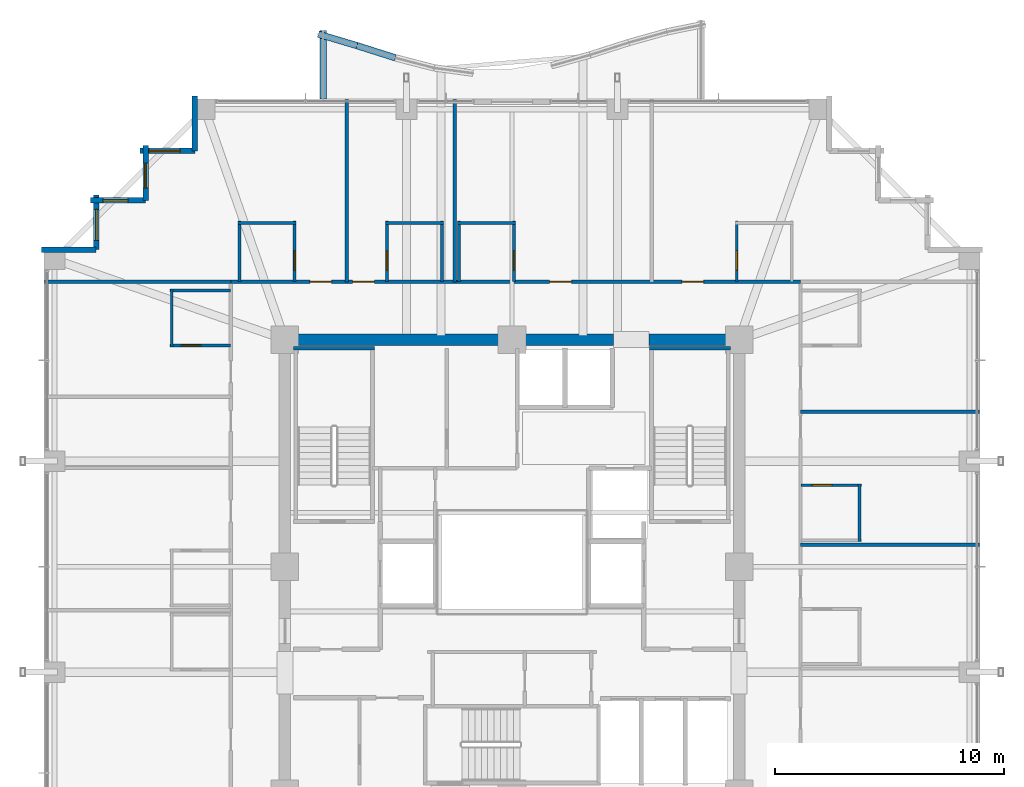
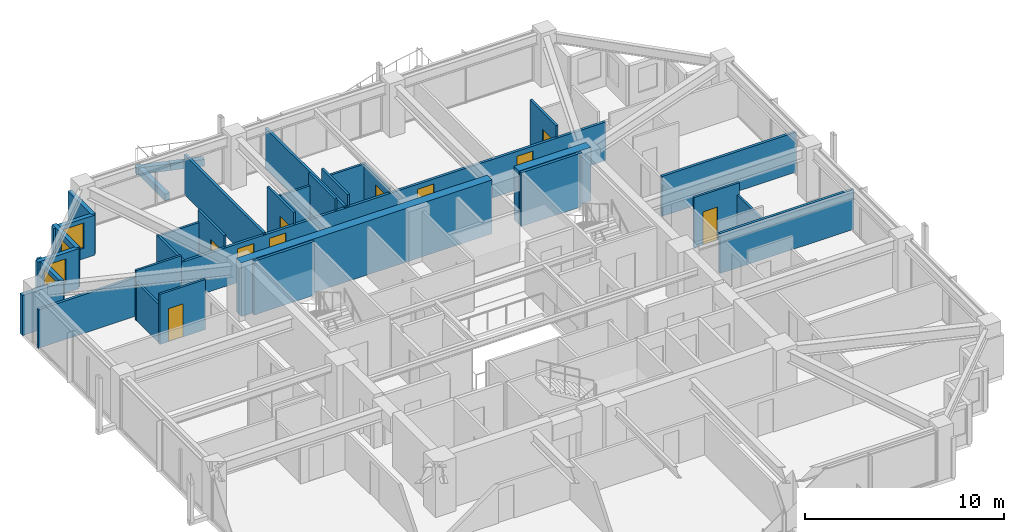
# One storey, part 34 of 37: 34 walls, 10 doors, 4 windows, 14 openings.
"""IFC4 building model written with IfcOpenShell, lengths in metres."""

import ifcopenshell
import ifcopenshell.guid

model = None  # the IFC model being written
_history = None  # IfcOwnerHistory: only IFC2X3 demands one
_inside = {}  # id of a spatial element -> (the spatial element, [elements in it])
_under = {}  # id of a project, library or spatial element -> (it, [spatial elements below it])
_declared = {}  # id of a project -> (the project, [libraries it declares])
_typed = {}  # id of a type object -> (the type object, [elements of that type])
_made_of = {}  # id of a material, layer set ... -> (it, [elements and type objects made of it])


def new_model(schema):
    """Start an empty IFC model of exactly this schema.

    Asked for "IFC4X3", IfcOpenShell would pick the latest addendum, in which some entities
    have other attributes; the version numbers below select the first issue.
    IFC2X3 requires an IfcOwnerHistory on every rooted entity: one is made here for all.
    """
    global model, _history
    if schema == "IFC4X3":
        model = ifcopenshell.file(schema_version=(4, 3, 0, 0))
    else:
        model = ifcopenshell.file(schema=schema)
    _inside.clear()
    _under.clear()
    _declared.clear()
    _typed.clear()
    _made_of.clear()
    _history = None
    if model.schema == "IFC2X3":
        org = make("IfcOrganization", Name="unknown")
        user = make(
            "IfcPersonAndOrganization",
            ThePerson=make("IfcPerson", FamilyName="unknown"),
            TheOrganization=org,
        )
        app = make(
            "IfcApplication",
            ApplicationDeveloper=org,
            Version="unknown",
            ApplicationFullName="unknown",
            ApplicationIdentifier="unknown",
        )
        _history = make(
            "IfcOwnerHistory",
            OwningUser=user,
            OwningApplication=app,
            ChangeAction="ADDED",
            CreationDate=0,
        )
    return model


def make(cls, **values):
    """One entity of the class cls with the attributes given. An attribute that is None is left unset."""
    return model.create_entity(
        cls, **{name: value for name, value in values.items() if value is not None}
    )


def rooted(cls, **values):
    """An entity with a GlobalId (a new one), such as an element, a storey or a relation."""
    return make(cls, GlobalId=ifcopenshell.guid.new(), OwnerHistory=_history, **values)


def si_unit(unit_type, name, prefix=None):
    """IfcSIUnit, for example si_unit("LENGTHUNIT", "METRE", prefix="MILLI")."""
    return make("IfcSIUnit", UnitType=unit_type, Prefix=prefix, Name=name)


def assignment(units):
    """IfcUnitAssignment: the units of a project."""
    return None if units is None else make("IfcUnitAssignment", Units=units)


def point(xyz):
    """IfcCartesianPoint."""
    return None if xyz is None else make("IfcCartesianPoint", Coordinates=xyz)


def direction(xyz):
    """IfcDirection."""
    return None if xyz is None else make("IfcDirection", DirectionRatios=xyz)


def frame(location, z_axis=None, x_axis=None):
    """IfcAxis2Placement3D, a coordinate frame: its origin and axes. An axis left out is left unset."""
    return make(
        "IfcAxis2Placement3D",
        Location=point(location),
        Axis=direction(z_axis),
        RefDirection=direction(x_axis),
    )


def frame_2d(location, x_axis=None):
    """IfcAxis2Placement2D, a coordinate frame in the plane: its origin and x axis."""
    return make(
        "IfcAxis2Placement2D", Location=point(location), RefDirection=direction(x_axis)
    )


def origin():
    """The frame at (0, 0, 0) with its axes left unset."""
    return frame((0.0, 0.0, 0.0))


def place(relative_to, where):
    """IfcLocalPlacement: puts the frame where relative to a parent placement (None: the world)."""
    return make(
        "IfcLocalPlacement", PlacementRelTo=relative_to, RelativePlacement=where
    )


def context(
    kind, dimensions, precision=None, world=None, true_north=None, identifier=None
):
    """IfcGeometricRepresentationContext, for example the 3D "Model" context."""
    return make(
        "IfcGeometricRepresentationContext",
        ContextIdentifier=identifier,
        ContextType=kind,
        CoordinateSpaceDimension=dimensions,
        Precision=precision,
        WorldCoordinateSystem=world,
        TrueNorth=true_north,
    )


def subcontext(parent, identifier, kind, view, scale=None):
    """IfcGeometricRepresentationSubContext, for example "Body" below "Model"."""
    return make(
        "IfcGeometricRepresentationSubContext",
        ContextIdentifier=identifier,
        ContextType=kind,
        ParentContext=parent,
        TargetScale=scale,
        TargetView=view,
    )


def project(units=None, contexts=None):
    """IfcProject with its units and contexts."""
    return rooted(
        "IfcProject",
        Name="project",
        RepresentationContexts=contexts,
        UnitsInContext=assignment(units),
    )


def spatial(cls, under=None, at=None, **own):
    """A site, building, storey or space (cls), placed at a placement, below another one or the project."""
    s = rooted(cls, ObjectPlacement=at, **own)
    if under is not None:
        _under.setdefault(under.id(), (under, []))[1].append(s)
    return s


def profile(cls, at=None, kind="AREA", **sizes):
    """A parametric profile (cls). Its sizes go by their IFC names, for example OverallWidth=200.0."""
    return make(cls, ProfileType=kind, Position=at, **sizes)


def rectangle(**sizes):
    """IfcRectangleProfileDef."""
    return profile("IfcRectangleProfileDef", **sizes)


def extrude(swept, where, along, depth):
    """IfcExtrudedAreaSolid: the profile swept, set in the frame where, extruded along a direction by depth."""
    return make(
        "IfcExtrudedAreaSolid",
        SweptArea=swept,
        Position=where,
        ExtrudedDirection=direction(along),
        Depth=depth,
    )


def shape(context_of_items, identifier, shape_type, items):
    """IfcShapeRepresentation: the items that make up one representation, for example the "Body"."""
    return make(
        "IfcShapeRepresentation",
        ContextOfItems=context_of_items,
        RepresentationIdentifier=identifier,
        RepresentationType=shape_type,
        Items=items,
    )


def material(Name=None, Category=None):
    """IfcMaterial."""
    return make("IfcMaterial", Name=Name, Category=Category)


def layer(
    of_material, thickness, ventilated=None, Name=None, Category=None, Priority=None
):
    """IfcMaterialLayer: one layer of a wall or slab, of a material (None: an air gap)."""
    return make(
        "IfcMaterialLayer",
        Material=of_material,
        LayerThickness=thickness,
        IsVentilated=ventilated,
        Name=Name,
        Category=Category,
        Priority=Priority,
    )


def layer_set(layers, Name=None):
    """IfcMaterialLayerSet."""
    return make("IfcMaterialLayerSet", MaterialLayers=layers, LayerSetName=Name)


def made_of(thing, what):
    """Note that an element or type object is made of a material, layer set ...; save() writes the relation."""
    if what is not None:
        _made_of.setdefault(what.id(), (what, []))[1].append(thing)
    return thing


def type_object(cls, material=None, **own):
    """A type object (cls), such as IfcWallType, which elements share."""
    return made_of(rooted(cls, **own), material)


def element(
    cls,
    number,
    at=None,
    inside=None,
    cuts=None,
    type_object=None,
    material=None,
    context=None,
    identifier="Body",
    shape_type=None,
    held_by="IfcProductDefinitionShape",
    body=None,
    shapes=None,
    **own,
):
    """One element of the class cls, such as IfcWall. Its Tag is "e" and its number.

    at: its placement. inside: the storey or other place that contains it. cuts: it is an
    opening in that element (IfcRelVoidsElement). A single representation is given by context,
    identifier, shape_type and body (its items); several are given by shapes. held_by: the class
    of the entity that holds the representations. save() writes the other relations.
    """
    e = rooted(cls, Tag="e%d" % number, ObjectPlacement=at, **own)
    if body is not None:
        shapes = [shape(context, identifier, shape_type, body)]
    if shapes is not None:
        e.Representation = make(held_by, Representations=shapes)
    if inside is not None:
        _inside.setdefault(inside.id(), (inside, []))[1].append(e)
    if cuts is not None:
        rooted(
            "IfcRelVoidsElement", RelatingBuildingElement=cuts, RelatedOpeningElement=e
        )
    if type_object is not None:
        _typed.setdefault(type_object.id(), (type_object, []))[1].append(e)
    return made_of(e, material)


def fill(opening, filler):
    """IfcRelFillsElement: the door or window that sits in an opening."""
    return rooted(
        "IfcRelFillsElement",
        RelatingOpeningElement=opening,
        RelatedBuildingElement=filler,
    )


def aggregate(whole, parts):
    """IfcRelAggregates: a whole, such as a stair, and the parts it consists of."""
    return rooted("IfcRelAggregates", RelatingObject=whole, RelatedObjects=parts)


def save(model, path):
    """Write the relations noted so far, then the file.

    IfcRelAggregates (storeys below a building ...), IfcRelContainedInSpatialStructure (elements
    in a storey), IfcRelDefinesByType, IfcRelAssociatesMaterial and IfcRelDeclares: one each for
    every whole, place, type object, material and project.
    """
    for whole, parts in _under.values():
        aggregate(whole, parts)
    for where, things in _inside.values():
        rooted(
            "IfcRelContainedInSpatialStructure",
            RelatedElements=things,
            RelatingStructure=where,
        )
    for kind, things in _typed.values():
        rooted("IfcRelDefinesByType", RelatedObjects=things, RelatingType=kind)
    for what, things in _made_of.values():
        rooted("IfcRelAssociatesMaterial", RelatedObjects=things, RelatingMaterial=what)
    for by, libraries in _declared.values():
        rooted("IfcRelDeclares", RelatingContext=by, RelatedDefinitions=libraries)
    model.write(path)


model = new_model("IFC4")

# Units and contexts
model_context = context("Model", 3, precision=1e-05, world=origin(), true_north=direction((0.0, 1.0)))
body_context = subcontext(model_context, "Body", "Model", "MODEL_VIEW")
ifc_project = project(units=[si_unit("LENGTHUNIT", "METRE"), si_unit("AREAUNIT", "SQUARE_METRE"), si_unit("VOLUMEUNIT", "CUBIC_METRE"), si_unit("PLANEANGLEUNIT", "RADIAN"), si_unit("MASSUNIT", "GRAM", prefix="KILO")], contexts=[model_context])

# Site, building, storey
site_placement = place(None, origin())
site = spatial("IfcSite", under=ifc_project, at=site_placement, CompositionType="ELEMENT")
building_placement = place(site_placement, origin())
building = spatial("IfcBuilding", under=site, at=building_placement, Name="Kolvaren Belvedere", CompositionType="ELEMENT")
storey_placement = place(building_placement, frame((0.0, 0.0, 180.0)))
storey = spatial("IfcBuildingStorey", under=building, at=storey_placement, Name="L52", CompositionType="ELEMENT", Elevation=180.0)

# Walls
ifc_material_1 = material(Name="Concrete C50/60", Category="concrete")
ifc_layer_1 = layer(ifc_material_1, 0.5)
ifc_layer_set_1 = layer_set([ifc_layer_1], Name="Concrete C50/60")
wall_type_1 = type_object("IfcWallType", Name="CW-CORE-500", PredefinedType="SHEAR", material=ifc_layer_set_1)
wall_1_placement = place(storey_placement, frame((-10.14990234375, 9.89990234375, 0.0), z_axis=(0.0, 0.0, 1.0), x_axis=(1.0, 0.0, 0.0)))
element("IfcWall", 1, at=wall_1_placement, inside=storey, type_object=wall_type_1, Name="L52 North Core Shear Wall 1", PredefinedType="SHEAR", context=body_context, shape_type="SweptSolid", body=[
    extrude(rectangle(XDim=14.56982421875, YDim=0.5, at=frame_2d((7.284912109375, 0.0))), origin(), (0.0, 0.0, 1.0), 3.300048828125),
])
wall_2_placement = place(storey_placement, frame((5.97998046875, 9.89990234375, 0.0), z_axis=(0.0, 0.0, 1.0), x_axis=(1.0, 0.0, 0.0)))
element("IfcWall", 2, at=wall_2_placement, inside=storey, type_object=wall_type_1, Name="L52 North Core Shear Wall 2", PredefinedType="SHEAR", context=body_context, shape_type="SweptSolid", body=[
    extrude(rectangle(XDim=4.169921875, YDim=0.5, at=frame_2d((2.0849609375, 0.0))), origin(), (0.0, 0.0, 1.0), 3.300048828125),
])
ifc_material_2 = material(Name="Concrete C50/60", Category="concrete")
ifc_layer_2 = layer(ifc_material_2, 0.159912109375)
ifc_layer_set_2 = layer_set([ifc_layer_2], Name="Concrete C50/60")
wall_type_2 = type_object("IfcWallType", Name="CW-STAIR-160", PredefinedType="SHEAR", material=ifc_layer_set_2)
for number, where, z_axis, x_axis, name in (
    (3, (-9.52001953125, 9.530029296875, 0.0), (0.0, 0.0, 1.0), (1.0, 0.0, 0.0), "L52 Stair ST-1 North Shear Wall"),
    (4, (6.0, 9.530029296875, 0.0), (0.0, 0.0, 1.0), (1.0, 0.0, 0.0), "L52 Stair ST-2 North Shear Wall"),
):
    element("IfcWall", number, at=place(storey_placement, frame(where, z_axis=z_axis, x_axis=x_axis)), inside=storey, type_object=wall_type_2, Name=name, PredefinedType="SHEAR", context=body_context, shape_type="SweptSolid", body=[
        extrude(rectangle(XDim=3.52001953125, YDim=0.159912109375, at=frame_2d((1.760009765625, 0.0))), origin(), (0.0, 0.0, 1.0), 3.300048828125),
    ])

# Wall, openings, doors
ifc_material_3 = material(Name="Gypsum fire-rated partition assembly", Category="gypsum")
ifc_layer_3 = layer(ifc_material_3, 0.14990234375)
ifc_layer_set_3 = layer_set([ifc_layer_3], Name="Gypsum fire-rated partition assembly")
wall_type_3 = type_object("IfcWallType", Name="WL-CORR-150", PredefinedType="PARTITIONING", material=ifc_layer_set_3)
wall_3_placement = place(storey_placement, frame((-12.260009765625, 12.419921875, 0.0), z_axis=(0.0, 0.0, 1.0), x_axis=(1.0, 0.0, 0.0)))
wall_3 = element("IfcWall", 5, at=wall_3_placement, inside=storey, type_object=wall_type_3, Name="L52 North Corridor Wall", PredefinedType="PARTITIONING", context=body_context, shape_type="SweptSolid", body=[
    extrude(rectangle(XDim=24.840087890625, YDim=0.14990234375, at=frame_2d((12.419921875, 0.0))), origin(), (0.0, 0.0, 1.0), 2.368896484375),
])
opening_1_placement = place(wall_3_placement, frame((3.447509765625, 0.0, 0.0)))
opening_1 = element("IfcOpeningElement", 6, at=opening_1_placement, cuts=wall_3, Name="Opening D-FD60", PredefinedType="OPENING", context=body_context, shape_type="SweptSolid", body=[
    extrude(rectangle(XDim=0.949951171875, YDim=2.06005859375, at=frame_2d((0.47509765625, 1.030029296875))), frame((0.0, 0.0849609375, 0.0), z_axis=(0.0, -1.0, 0.0), x_axis=(1.0, 0.0, 0.0)), (0.0, 0.0, 1.0), 0.169921875),
])
opening_2_placement = place(wall_3_placement, frame((5.31201171875, 0.0, 0.0)))
opening_2 = element("IfcOpeningElement", 7, at=opening_2_placement, cuts=wall_3, Name="Opening D-FD60", PredefinedType="OPENING", context=body_context, shape_type="SweptSolid", body=[
    extrude(rectangle(XDim=0.949951171875, YDim=2.06005859375, at=frame_2d((0.47509765625, 1.030029296875))), frame((0.0, 0.0849609375, 0.0), z_axis=(0.0, -1.0, 0.0), x_axis=(1.0, 0.0, 0.0)), (0.0, 0.0, 1.0), 0.169921875),
])
opening_3_placement = place(wall_3_placement, frame((13.905517578125, 0.0, 0.0)))
opening_3 = element("IfcOpeningElement", 8, at=opening_3_placement, cuts=wall_3, Name="Opening D-FD60", PredefinedType="OPENING", context=body_context, shape_type="SweptSolid", body=[
    extrude(rectangle(XDim=0.949951171875, YDim=2.06005859375, at=frame_2d((0.47509765625, 1.030029296875))), frame((0.0, 0.0849609375, 0.0), z_axis=(0.0, -1.0, 0.0), x_axis=(1.0, 0.0, 0.0)), (0.0, 0.0, 1.0), 0.169921875),
])
opening_4_placement = place(wall_3_placement, frame((19.666015625, 0.0, 0.0)))
opening_4 = element("IfcOpeningElement", 9, at=opening_4_placement, cuts=wall_3, Name="Opening D-FD60", PredefinedType="OPENING", context=body_context, shape_type="SweptSolid", body=[
    extrude(rectangle(XDim=0.949951171875, YDim=2.06005859375, at=frame_2d((0.47509765625, 1.030029296875))), frame((0.0, 0.0849609375, 0.0), z_axis=(0.0, -1.0, 0.0), x_axis=(1.0, 0.0, 0.0)), (0.0, 0.0, 1.0), 0.169921875),
])
ifc_material_4 = material(Name="Acoustic white-oak fire door leaf", Category="timber")
door_type_1 = type_object("IfcDoorType", Name="DR-FD60-950", OperationType="NOTDEFINED", PredefinedType="DOOR", material=ifc_material_4)
door_1_placement = place(opening_1_placement, origin())
door_1 = element("IfcDoor", 10, at=door_1_placement, inside=storey, type_object=door_type_1, Name="L52 Botanical Hospitality Suite 5213 Entry Door", OperationType="SINGLE_SWING_LEFT", OverallHeight=2.06005859375, OverallWidth=0.949951171875, PredefinedType="DOOR", context=body_context, shape_type="SweptSolid", body=[
    extrude(rectangle(XDim=0.949951171875, YDim=2.06005859375, at=frame_2d((0.47509765625, 1.030029296875))), frame((0.0, 0.02490234375, 0.0), z_axis=(0.0, -1.0, 0.0), x_axis=(1.0, 0.0, 0.0)), (0.0, 0.0, 1.0), 0.050048828125),
])
fill(opening_1, door_1)
door_2_placement = place(opening_2_placement, origin())
door_2 = element("IfcDoor", 11, at=door_2_placement, inside=storey, type_object=door_type_1, Name="L52 Botanical Hospitality Suite 5214 Entry Door", OperationType="SINGLE_SWING_LEFT", OverallHeight=2.06005859375, OverallWidth=0.949951171875, PredefinedType="DOOR", context=body_context, shape_type="SweptSolid", body=[
    extrude(rectangle(XDim=0.949951171875, YDim=2.06005859375, at=frame_2d((0.47509765625, 1.030029296875))), frame((0.0, 0.02490234375, 0.0), z_axis=(0.0, -1.0, 0.0), x_axis=(1.0, 0.0, 0.0)), (0.0, 0.0, 1.0), 0.050048828125),
])
fill(opening_2, door_2)
door_3_placement = place(opening_3_placement, origin())
door_3 = element("IfcDoor", 12, at=door_3_placement, inside=storey, type_object=door_type_1, Name="L52 King Guest Room 5215 Entry Door", OperationType="SINGLE_SWING_LEFT", OverallHeight=2.06005859375, OverallWidth=0.949951171875, PredefinedType="DOOR", context=body_context, shape_type="SweptSolid", body=[
    extrude(rectangle(XDim=0.949951171875, YDim=2.06005859375, at=frame_2d((0.47509765625, 1.030029296875))), frame((0.0, 0.02490234375, 0.0), z_axis=(0.0, -1.0, 0.0), x_axis=(1.0, 0.0, 0.0)), (0.0, 0.0, 1.0), 0.050048828125),
])
fill(opening_3, door_3)
door_4_placement = place(opening_4_placement, origin())
door_4 = element("IfcDoor", 13, at=door_4_placement, inside=storey, type_object=door_type_1, Name="L52 Botanical Hospitality Suite 5216 Entry Door", OperationType="SINGLE_SWING_LEFT", OverallHeight=2.06005859375, OverallWidth=0.949951171875, PredefinedType="DOOR", context=body_context, shape_type="SweptSolid", body=[
    extrude(rectangle(XDim=0.949951171875, YDim=2.06005859375, at=frame_2d((0.47509765625, 1.030029296875))), frame((0.0, 0.02490234375, 0.0), z_axis=(0.0, -1.0, 0.0), x_axis=(1.0, 0.0, 0.0)), (0.0, 0.0, 1.0), 0.050048828125),
])
fill(opening_4, door_4)

# Wall
ifc_material_5 = material(Name="Insulated pale-metal facade wall assembly", Category="aluminium")
ifc_layer_4 = layer(ifc_material_5, 0.239990234375)
ifc_layer_set_4 = layer_set([ifc_layer_4], Name="Insulated pale-metal facade wall assembly")
wall_type_4 = type_object("IfcWallType", Name="WL-EXT-240", PredefinedType="STANDARD", material=ifc_layer_set_4)
wall_4_placement = place(storey_placement, frame((-13.830078125, 18.1298828125, 0.0), z_axis=(0.0, 0.0, 1.0), x_axis=(0.0, 1.0, 0.0)))
element("IfcWall", 14, at=wall_4_placement, inside=storey, type_object=wall_type_4, Name="L52 Serrated Corner Facade Wall 16", PredefinedType="STANDARD", context=body_context, shape_type="SweptSolid", body=[
    extrude(rectangle(XDim=2.39013671875, YDim=0.239990234375, at=frame_2d((1.195068359375, 0.0))), origin(), (0.0, 0.0, 1.0), 2.462890625),
])

# Wall, opening, window
wall_5_placement = place(storey_placement, frame((-16.219970703125, 18.1298828125, 0.0), z_axis=(0.0, 0.0, 1.0), x_axis=(1.0, 0.0, 0.0)))
wall_5 = element("IfcWall", 15, at=wall_5_placement, inside=storey, type_object=wall_type_4, Name="L52 Serrated Corner Facade Wall 17", PredefinedType="STANDARD", context=body_context, shape_type="SweptSolid", body=[
    extrude(rectangle(XDim=2.389892578125, YDim=0.239990234375, at=frame_2d((1.19482421875, 0.0))), origin(), (0.0, 0.0, 1.0), 2.462890625),
])
opening_5_placement = place(wall_5_placement, frame((0.39990234375, 0.0, 0.64990234375)))
opening_5 = element("IfcOpeningElement", 16, at=opening_5_placement, cuts=wall_5, Name="Opening W-1350", PredefinedType="OPENING", context=body_context, shape_type="SweptSolid", body=[
    extrude(rectangle(XDim=1.35009765625, YDim=1.550048828125, at=frame_2d((0.675048828125, 0.77490234375))), frame((0.0, 0.1298828125, 0.0), z_axis=(0.0, -1.0, 0.0), x_axis=(1.0, 0.0, 0.0)), (0.0, 0.0, 1.0), 0.260009765625),
])
ifc_material_6 = material(Name="Low-iron triple insulated glass", Category="glass")
window_type_1 = type_object("IfcWindowType", Name="WN-CORN-1350", PartitioningType="SINGLE_PANEL", PredefinedType="WINDOW", material=ifc_material_6)
window_1_placement = place(opening_5_placement, origin())
window_1 = element("IfcWindow", 17, at=window_1_placement, inside=storey, type_object=window_type_1, Name="L52 Serrated Corner Vision Window 17", OverallHeight=1.550048828125, OverallWidth=1.35009765625, PartitioningType="SINGLE_PANEL", PredefinedType="WINDOW", context=body_context, shape_type="SweptSolid", body=[
    extrude(rectangle(XDim=1.35009765625, YDim=1.550048828125, at=frame_2d((0.675048828125, 0.77490234375))), frame((0.0, 0.030029296875, 0.0), z_axis=(0.0, -1.0, 0.0), x_axis=(1.0, 0.0, 0.0)), (0.0, 0.0, 1.0), 0.06005859375),
])
fill(opening_5, window_1)

wall_6_placement = place(storey_placement, frame((-15.97998046875, 15.97998046875, 0.0), z_axis=(0.0, 0.0, 1.0), x_axis=(0.0, 1.0, 0.0)))
wall_6 = element("IfcWall", 18, at=wall_6_placement, inside=storey, type_object=wall_type_4, Name="L52 Serrated Corner Facade Wall 18", PredefinedType="STANDARD", context=body_context, shape_type="SweptSolid", body=[
    extrude(rectangle(XDim=2.39013671875, YDim=0.239990234375, at=frame_2d((1.195068359375, 0.0))), origin(), (0.0, 0.0, 1.0), 2.462890625),
])
opening_6_placement = place(wall_6_placement, frame((0.52490234375, 0.0, 0.64990234375)))
opening_6 = element("IfcOpeningElement", 19, at=opening_6_placement, cuts=wall_6, Name="Opening W-1100", PredefinedType="OPENING", context=body_context, shape_type="SweptSolid", body=[
    extrude(rectangle(XDim=1.10009765625, YDim=1.449951171875, at=frame_2d((0.550048828125, 0.72509765625))), frame((0.0, 0.1298828125, 0.0), z_axis=(0.0, -1.0, 0.0), x_axis=(1.0, 0.0, 0.0)), (0.0, 0.0, 1.0), 0.260009765625),
])
ifc_material_7 = material(Name="Low-iron triple insulated glass", Category="glass")
window_type_2 = type_object("IfcWindowType", Name="WN-CORN-1100", PartitioningType="SINGLE_PANEL", PredefinedType="WINDOW", material=ifc_material_7)
window_2_placement = place(opening_6_placement, origin())
window_2 = element("IfcWindow", 20, at=window_2_placement, inside=storey, type_object=window_type_2, Name="L52 Serrated Corner Vision Window 18", OverallHeight=1.449951171875, OverallWidth=1.10009765625, PartitioningType="SINGLE_PANEL", PredefinedType="WINDOW", context=body_context, shape_type="SweptSolid", body=[
    extrude(rectangle(XDim=1.10009765625, YDim=1.449951171875, at=frame_2d((0.550048828125, 0.72509765625))), frame((0.0, 0.030029296875, 0.0), z_axis=(0.0, -1.0, 0.0), x_axis=(1.0, 0.0, 0.0)), (0.0, 0.0, 1.0), 0.06005859375),
])
fill(opening_6, window_2)

wall_7_placement = place(storey_placement, frame((-18.3701171875, 15.97998046875, 0.0), z_axis=(0.0, 0.0, 1.0), x_axis=(1.0, 0.0, 0.0)))
wall_7 = element("IfcWall", 21, at=wall_7_placement, inside=storey, type_object=wall_type_4, Name="L52 Serrated Corner Facade Wall 19", PredefinedType="STANDARD", context=body_context, shape_type="SweptSolid", body=[
    extrude(rectangle(XDim=2.39013671875, YDim=0.239990234375, at=frame_2d((1.195068359375, 0.0))), origin(), (0.0, 0.0, 1.0), 2.462890625),
])
opening_7_placement = place(wall_7_placement, frame((0.52490234375, 0.0, 0.64990234375)))
opening_7 = element("IfcOpeningElement", 22, at=opening_7_placement, cuts=wall_7, Name="Opening W-1100", PredefinedType="OPENING", context=body_context, shape_type="SweptSolid", body=[
    extrude(rectangle(XDim=1.10009765625, YDim=1.449951171875, at=frame_2d((0.550048828125, 0.72509765625))), frame((0.0, 0.1298828125, 0.0), z_axis=(0.0, -1.0, 0.0), x_axis=(1.0, 0.0, 0.0)), (0.0, 0.0, 1.0), 0.260009765625),
])
window_3_placement = place(opening_7_placement, origin())
window_3 = element("IfcWindow", 23, at=window_3_placement, inside=storey, type_object=window_type_2, Name="L52 Serrated Corner Vision Window 19", OverallHeight=1.449951171875, OverallWidth=1.10009765625, PartitioningType="SINGLE_PANEL", PredefinedType="WINDOW", context=body_context, shape_type="SweptSolid", body=[
    extrude(rectangle(XDim=1.10009765625, YDim=1.449951171875, at=frame_2d((0.550048828125, 0.72509765625))), frame((0.0, 0.030029296875, 0.0), z_axis=(0.0, -1.0, 0.0), x_axis=(1.0, 0.0, 0.0)), (0.0, 0.0, 1.0), 0.06005859375),
])
fill(opening_7, window_3)

wall_8_placement = place(storey_placement, frame((-18.1298828125, 13.830078125, 0.0), z_axis=(0.0, 0.0, 1.0), x_axis=(0.0, 1.0, 0.0)))
wall_8 = element("IfcWall", 24, at=wall_8_placement, inside=storey, type_object=wall_type_4, Name="L52 Serrated Corner Facade Wall 20", PredefinedType="STANDARD", context=body_context, shape_type="SweptSolid", body=[
    extrude(rectangle(XDim=2.389892578125, YDim=0.239990234375, at=frame_2d((1.19482421875, 0.0))), origin(), (0.0, 0.0, 1.0), 2.462890625),
])
opening_8_placement = place(wall_8_placement, frame((0.39990234375, 0.0, 0.64990234375)))
opening_8 = element("IfcOpeningElement", 25, at=opening_8_placement, cuts=wall_8, Name="Opening W-1350", PredefinedType="OPENING", context=body_context, shape_type="SweptSolid", body=[
    extrude(rectangle(XDim=1.35009765625, YDim=1.550048828125, at=frame_2d((0.675048828125, 0.77490234375))), frame((0.0, 0.1298828125, 0.0), z_axis=(0.0, -1.0, 0.0), x_axis=(1.0, 0.0, 0.0)), (0.0, 0.0, 1.0), 0.260009765625),
])
window_4_placement = place(opening_8_placement, origin())
window_4 = element("IfcWindow", 26, at=window_4_placement, inside=storey, type_object=window_type_1, Name="L52 Serrated Corner Vision Window 20", OverallHeight=1.550048828125, OverallWidth=1.35009765625, PartitioningType="SINGLE_PANEL", PredefinedType="WINDOW", context=body_context, shape_type="SweptSolid", body=[
    extrude(rectangle(XDim=1.35009765625, YDim=1.550048828125, at=frame_2d((0.675048828125, 0.77490234375))), frame((0.0, 0.030029296875, 0.0), z_axis=(0.0, -1.0, 0.0), x_axis=(1.0, 0.0, 0.0)), (0.0, 0.0, 1.0), 0.06005859375),
])
fill(opening_8, window_4)

# Walls
wall_9_placement = place(storey_placement, frame((-20.52001953125, 13.830078125, 0.0), z_axis=(0.0, 0.0, 1.0), x_axis=(1.0, 0.0, 0.0)))
element("IfcWall", 27, at=wall_9_placement, inside=storey, type_object=wall_type_4, Name="L52 Serrated Corner Facade Wall 21", PredefinedType="STANDARD", context=body_context, shape_type="SweptSolid", body=[
    extrude(rectangle(XDim=2.39013671875, YDim=0.239990234375, at=frame_2d((1.195068359375, 0.0))), origin(), (0.0, 0.0, 1.0), 2.462890625),
])
ifc_material_8 = material(Name="Gypsum acoustic partition assembly", Category="gypsum")
ifc_layer_5 = layer(ifc_material_8, 0.14990234375)
ifc_layer_set_5 = layer_set([ifc_layer_5], Name="Gypsum acoustic partition assembly")
wall_type_5 = type_object("IfcWallType", Name="WL-PART-150", PredefinedType="PARTITIONING", material=ifc_layer_set_5)
wall_10_placement = place(storey_placement, frame((-20.3798828125, 12.419921875, 0.0), z_axis=(0.0, 0.0, 1.0), x_axis=(1.0, 0.0, 0.0)))
element("IfcWall", 28, at=wall_10_placement, inside=storey, type_object=wall_type_5, Name="L52 Wing Divider PW-L52-QNW", PredefinedType="PARTITIONING", context=body_context, shape_type="SweptSolid", body=[
    extrude(rectangle(XDim=8.119873046875, YDim=0.14990234375, at=frame_2d((4.06005859375, 0.0))), origin(), (0.0, 0.0, 1.0), 2.368896484375),
])
for number, where, z_axis, x_axis, name in (
    (29, (12.580078125, 0.9599609375, 0.0), (0.0, 0.0, 1.0), (1.0, 0.0, 0.0), "L52 East Suite Demising Wall 3"),
    (30, (12.580078125, 6.760009765625, 0.0), (0.0, 0.0, 1.0), (1.0, 0.0, 0.0), "L52 East Suite Demising Wall 4"),
):
    element("IfcWall", number, at=place(storey_placement, frame(where, z_axis=z_axis, x_axis=x_axis)), inside=storey, type_object=wall_type_5, Name=name, PredefinedType="PARTITIONING", context=body_context, shape_type="SweptSolid", body=[
        extrude(rectangle(XDim=7.7998046875, YDim=0.14990234375, at=frame_2d((3.89990234375, 0.0))), origin(), (0.0, 0.0, 1.0), 2.452880859375),
    ])
for number, where, z_axis, x_axis, name in (
    (31, (-7.2041015625, 12.419921875, 0.0), (0.0, 0.0, 1.0), (0.0, 1.0, 0.0), "L52 North Suite Demising Wall 1"),
    (32, (-2.50390625, 12.419921875, 0.0), (0.0, 0.0, 1.0), (0.0, 1.0, 0.0), "L52 North Suite Demising Wall 2"),
):
    element("IfcWall", number, at=place(storey_placement, frame(where, z_axis=z_axis, x_axis=x_axis)), inside=storey, type_object=wall_type_5, Name=name, PredefinedType="PARTITIONING", context=body_context, shape_type="SweptSolid", body=[
        extrude(rectangle(XDim=7.9599609375, YDim=0.14990234375, at=frame_2d((3.97998046875, 0.0))), origin(), (0.0, 0.0, 1.0), 2.452880859375),
    ])
ifc_material_9 = material(Name="Precast concrete C40/50", Category="concrete")
ifc_layer_6 = layer(ifc_material_9, 0.300048828125)
ifc_layer_set_6 = layer_set([ifc_layer_6], Name="Precast concrete C40/50")
wall_type_6 = type_object("IfcWallType", Name="WL-PLANTER-300", PredefinedType="PARAPET", material=ifc_layer_set_6)
wall_11_placement = place(storey_placement, frame((-5.08837890625, 22.18994140625, -0.0400390625), z_axis=(0.0, 0.0, 1.0), x_axis=(-0.953181954832, 0.302397356111, 0.0)))
element("IfcWall", 33, at=wall_11_placement, inside=storey, type_object=wall_type_6, Name="L52 Precast Structural Planter Wall BAL-N-20", PredefinedType="PARAPET", context=body_context, shape_type="SweptSolid", body=[
    extrude(rectangle(XDim=1.762451171875, YDim=0.280029296875, at=frame_2d((0.88134765625, 0.0))), origin(), (0.0, 0.0, 1.0), 0.419921875),
])
wall_12_placement = place(storey_placement, frame((-6.765625, 22.721923828125, -0.0400390625), z_axis=(0.0, 0.0, 1.0), x_axis=(-0.958525043221, 0.28500831833, 0.0)))
element("IfcWall", 34, at=wall_12_placement, inside=storey, type_object=wall_type_6, Name="L52 Precast Structural Planter Wall BAL-N-21", PredefinedType="PARAPET", context=body_context, shape_type="SweptSolid", body=[
    extrude(rectangle(XDim=1.752685546875, YDim=0.280029296875, at=frame_2d((0.87646484375, 0.0))), origin(), (0.0, 0.0, 1.0), 0.419921875),
])
wall_13_placement = place(storey_placement, frame((-8.239990234375, 23.374755859375, -0.0400390625), z_axis=(0.0, 0.0, 1.0), x_axis=(0.0, -1.0, 0.0)))
element("IfcWall", 35, at=wall_13_placement, inside=storey, type_object=wall_type_6, Name="L52 Precast Structural Planter Wall BAL-N-22", PredefinedType="PARAPET", context=body_context, shape_type="SweptSolid", body=[
    extrude(rectangle(XDim=2.974853515625, YDim=0.280029296875, at=frame_2d((1.4873046875, 0.0))), origin(), (0.0, 0.0, 1.0), 0.419921875),
])

# Wall, opening, door
ifc_material_10 = material(Name="Moisture-resistant gypsum partition", Category="gypsum")
ifc_layer_7 = layer(ifc_material_10, 0.125)
ifc_layer_set_7 = layer_set([ifc_layer_7], Name="Moisture-resistant gypsum partition")
wall_type_7 = type_object("IfcWallType", Name="WL-WET-125", PredefinedType="PARTITIONING", material=ifc_layer_set_7)
wall_14_placement = place(storey_placement, frame((12.594970703125, 3.554931640625, 0.0), z_axis=(0.0, 0.0, 1.0), x_axis=(1.0, 0.0, 0.0)))
wall_14 = element("IfcWall", 36, at=wall_14_placement, inside=storey, type_object=wall_type_7, Name="L52 Bathroom Partition PW-L52-BTH-7-N", PredefinedType="PARTITIONING", context=body_context, shape_type="SweptSolid", body=[
    extrude(rectangle(XDim=2.64013671875, YDim=0.125, at=frame_2d((1.320068359375, 0.0))), origin(), (0.0, 0.0, 1.0), 3.080078125),
])
opening_9_placement = place(wall_14_placement, frame((0.5, 0.0, 0.0)))
opening_9 = element("IfcOpeningElement", 37, at=opening_9_placement, cuts=wall_14, Name="Opening D-BTH85", PredefinedType="OPENING", context=body_context, shape_type="SweptSolid", body=[
    extrude(rectangle(XDim=0.85009765625, YDim=2.030029296875, at=frame_2d((0.425048828125, 1.01513671875))), frame((0.0, 0.072509765625, 0.0), z_axis=(0.0, -1.0, 0.0), x_axis=(1.0, 0.0, 0.0)), (0.0, 0.0, 1.0), 0.14501953125),
])
ifc_material_11 = material(Name="Moisture-sealed Pacific white oak", Category="timber")
door_type_2 = type_object("IfcDoorType", Name="DR-BATH-850", OperationType="NOTDEFINED", PredefinedType="DOOR", material=ifc_material_11)
door_5_placement = place(opening_9_placement, origin())
door_5 = element("IfcDoor", 38, at=door_5_placement, inside=storey, type_object=door_type_2, Name="L52 En-Suite Bathroom 5207 Door", OperationType="SINGLE_SWING_LEFT", OverallHeight=2.030029296875, OverallWidth=0.85009765625, PredefinedType="DOOR", context=body_context, shape_type="SweptSolid", body=[
    extrude(rectangle(XDim=0.85009765625, YDim=2.030029296875, at=frame_2d((0.425048828125, 1.01513671875))), frame((0.0, 0.02490234375, 0.0), z_axis=(0.0, -1.0, 0.0), x_axis=(1.0, 0.0, 0.0)), (0.0, 0.0, 1.0), 0.050048828125),
])
fill(opening_9, door_5)

# Wall
wall_15_placement = place(storey_placement, frame((15.155029296875, 1.094970703125, 0.0), z_axis=(0.0, 0.0, 1.0), x_axis=(0.0, 1.0, 0.0)))
element("IfcWall", 39, at=wall_15_placement, inside=storey, type_object=wall_type_7, Name="L52 Bathroom Partition PW-L52-BTH-7-V", PredefinedType="PARTITIONING", context=body_context, shape_type="SweptSolid", body=[
    extrude(rectangle(XDim=2.52001953125, YDim=0.125, at=frame_2d((1.260009765625, 0.0))), origin(), (0.0, 0.0, 1.0), 2.368896484375),
])

# Wall, opening, door
wall_16_placement = place(storey_placement, frame((-14.9150390625, 9.64111328125, 0.0), z_axis=(0.0, 0.0, 1.0), x_axis=(1.0, 0.0, 0.0)))
wall_16 = element("IfcWall", 40, at=wall_16_placement, inside=storey, type_object=wall_type_7, Name="L52 Bathroom Partition PW-L52-BTH-12-N", PredefinedType="PARTITIONING", context=body_context, shape_type="SweptSolid", body=[
    extrude(rectangle(XDim=2.64013671875, YDim=0.125, at=frame_2d((1.320068359375, 0.0))), origin(), (0.0, 0.0, 1.0), 3.080078125),
])
opening_10_placement = place(wall_16_placement, frame((0.5, 0.0, 0.0)))
opening_10 = element("IfcOpeningElement", 41, at=opening_10_placement, cuts=wall_16, Name="Opening D-BTH85", PredefinedType="OPENING", context=body_context, shape_type="SweptSolid", body=[
    extrude(rectangle(XDim=0.85009765625, YDim=2.030029296875, at=frame_2d((0.425048828125, 1.01513671875))), frame((0.0, 0.072509765625, 0.0), z_axis=(0.0, -1.0, 0.0), x_axis=(1.0, 0.0, 0.0)), (0.0, 0.0, 1.0), 0.14501953125),
])
door_6_placement = place(opening_10_placement, origin())
door_6 = element("IfcDoor", 42, at=door_6_placement, inside=storey, type_object=door_type_2, Name="L52 En-Suite Bathroom 5212 Door", OperationType="SINGLE_SWING_RIGHT", OverallHeight=2.030029296875, OverallWidth=0.85009765625, PredefinedType="DOOR", context=body_context, shape_type="SweptSolid", body=[
    extrude(rectangle(XDim=0.85009765625, YDim=2.030029296875, at=frame_2d((0.425048828125, 1.01513671875))), frame((0.0, 0.02490234375, 0.0), z_axis=(0.0, -1.0, 0.0), x_axis=(1.0, 0.0, 0.0)), (0.0, 0.0, 1.0), 0.050048828125),
])
fill(opening_10, door_6)

# Walls
wall_17_placement = place(storey_placement, frame((-14.8349609375, 9.5810546875, 0.0), z_axis=(0.0, 0.0, 1.0), x_axis=(0.0, 1.0, 0.0)))
element("IfcWall", 43, at=wall_17_placement, inside=storey, type_object=wall_type_7, Name="L52 Bathroom Partition PW-L52-BTH-12-V", PredefinedType="PARTITIONING", context=body_context, shape_type="SweptSolid", body=[
    extrude(rectangle(XDim=2.52001953125, YDim=0.125, at=frame_2d((1.260009765625, 0.0))), origin(), (0.0, 0.0, 1.0), 2.368896484375),
])
wall_18_placement = place(storey_placement, frame((-14.9150390625, 12.041015625, 0.0), z_axis=(0.0, 0.0, 1.0), x_axis=(1.0, 0.0, 0.0)))
element("IfcWall", 44, at=wall_18_placement, inside=storey, type_object=wall_type_7, Name="L52 Bathroom Partition PW-L52-BTH-12-S", PredefinedType="PARTITIONING", context=body_context, shape_type="SweptSolid", body=[
    extrude(rectangle(XDim=2.64013671875, YDim=0.125, at=frame_2d((1.320068359375, 0.0))), origin(), (0.0, 0.0, 1.0), 3.080078125),
])

# Wall, opening, door
wall_19_placement = place(storey_placement, frame((-9.48095703125, 12.43505859375, 0.0), z_axis=(0.0, 0.0, 1.0), x_axis=(0.0, 1.0, 0.0)))
wall_19 = element("IfcWall", 45, at=wall_19_placement, inside=storey, type_object=wall_type_7, Name="L52 Bathroom Partition PW-L52-BTH-13-E", PredefinedType="PARTITIONING", context=body_context, shape_type="SweptSolid", body=[
    extrude(rectangle(XDim=2.639892578125, YDim=0.125, at=frame_2d((1.31982421875, 0.0))), origin(), (0.0, 0.0, 1.0), 3.080078125),
])
opening_11_placement = place(wall_19_placement, frame((0.5, 0.0, 0.0)))
opening_11 = element("IfcOpeningElement", 46, at=opening_11_placement, cuts=wall_19, Name="Opening D-BTH85", PredefinedType="OPENING", context=body_context, shape_type="SweptSolid", body=[
    extrude(rectangle(XDim=0.85009765625, YDim=2.030029296875, at=frame_2d((0.425048828125, 1.01513671875))), frame((0.0, 0.072509765625, 0.0), z_axis=(0.0, -1.0, 0.0), x_axis=(1.0, 0.0, 0.0)), (0.0, 0.0, 1.0), 0.14501953125),
])
door_7_placement = place(opening_11_placement, origin())
door_7 = element("IfcDoor", 47, at=door_7_placement, inside=storey, type_object=door_type_2, Name="L52 En-Suite Bathroom 5213 Door", OperationType="SINGLE_SWING_RIGHT", OverallHeight=2.030029296875, OverallWidth=0.85009765625, PredefinedType="DOOR", context=body_context, shape_type="SweptSolid", body=[
    extrude(rectangle(XDim=0.85009765625, YDim=2.030029296875, at=frame_2d((0.425048828125, 1.01513671875))), frame((0.0, 0.02490234375, 0.0), z_axis=(0.0, -1.0, 0.0), x_axis=(1.0, 0.0, 0.0)), (0.0, 0.0, 1.0), 0.050048828125),
])
fill(opening_11, door_7)

# Walls
wall_20_placement = place(storey_placement, frame((-11.94091796875, 14.9951171875, 0.0), z_axis=(0.0, 0.0, 1.0), x_axis=(1.0, 0.0, 0.0)))
element("IfcWall", 48, at=wall_20_placement, inside=storey, type_object=wall_type_7, Name="L52 Bathroom Partition PW-L52-BTH-13-H", PredefinedType="PARTITIONING", context=body_context, shape_type="SweptSolid", body=[
    extrude(rectangle(XDim=2.52001953125, YDim=0.125, at=frame_2d((1.260009765625, 0.0))), origin(), (0.0, 0.0, 1.0), 2.368896484375),
])
wall_21_placement = place(storey_placement, frame((-11.881103515625, 12.43505859375, 0.0), z_axis=(0.0, 0.0, 1.0), x_axis=(0.0, 1.0, 0.0)))
element("IfcWall", 49, at=wall_21_placement, inside=storey, type_object=wall_type_7, Name="L52 Bathroom Partition PW-L52-BTH-13-W", PredefinedType="PARTITIONING", context=body_context, shape_type="SweptSolid", body=[
    extrude(rectangle(XDim=2.639892578125, YDim=0.125, at=frame_2d((1.31982421875, 0.0))), origin(), (0.0, 0.0, 1.0), 2.368896484375),
])

# Wall, opening, door
wall_22_placement = place(storey_placement, frame((-5.451904296875, 12.43505859375, 0.0), z_axis=(0.0, 0.0, 1.0), x_axis=(0.0, 1.0, 0.0)))
wall_22 = element("IfcWall", 50, at=wall_22_placement, inside=storey, type_object=wall_type_7, Name="L52 Bathroom Partition PW-L52-BTH-14-E", PredefinedType="PARTITIONING", context=body_context, shape_type="SweptSolid", body=[
    extrude(rectangle(XDim=2.639892578125, YDim=0.125, at=frame_2d((1.31982421875, 0.0))), origin(), (0.0, 0.0, 1.0), 3.080078125),
])
opening_12_placement = place(wall_22_placement, frame((0.5, 0.0, 0.0)))
opening_12 = element("IfcOpeningElement", 51, at=opening_12_placement, cuts=wall_22, Name="Opening D-BTH85", PredefinedType="OPENING", context=body_context, shape_type="SweptSolid", body=[
    extrude(rectangle(XDim=0.85009765625, YDim=2.030029296875, at=frame_2d((0.425048828125, 1.01513671875))), frame((0.0, 0.072509765625, 0.0), z_axis=(0.0, -1.0, 0.0), x_axis=(1.0, 0.0, 0.0)), (0.0, 0.0, 1.0), 0.14501953125),
])
door_8_placement = place(opening_12_placement, origin())
door_8 = element("IfcDoor", 52, at=door_8_placement, inside=storey, type_object=door_type_2, Name="L52 En-Suite Bathroom 5214 Door", OperationType="SINGLE_SWING_RIGHT", OverallHeight=2.030029296875, OverallWidth=0.85009765625, PredefinedType="DOOR", context=body_context, shape_type="SweptSolid", body=[
    extrude(rectangle(XDim=0.85009765625, YDim=2.030029296875, at=frame_2d((0.425048828125, 1.01513671875))), frame((0.0, 0.02490234375, 0.0), z_axis=(0.0, -1.0, 0.0), x_axis=(1.0, 0.0, 0.0)), (0.0, 0.0, 1.0), 0.050048828125),
])
fill(opening_12, door_8)

# Walls
wall_23_placement = place(storey_placement, frame((-5.511962890625, 14.9951171875, 0.0), z_axis=(0.0, 0.0, 1.0), x_axis=(1.0, 0.0, 0.0)))
element("IfcWall", 53, at=wall_23_placement, inside=storey, type_object=wall_type_7, Name="L52 Bathroom Partition PW-L52-BTH-14-H", PredefinedType="PARTITIONING", context=body_context, shape_type="SweptSolid", body=[
    extrude(rectangle(XDim=2.52001953125, YDim=0.125, at=frame_2d((1.260009765625, 0.0))), origin(), (0.0, 0.0, 1.0), 2.368896484375),
])
wall_24_placement = place(storey_placement, frame((-3.052001953125, 12.43505859375, 0.0), z_axis=(0.0, 0.0, 1.0), x_axis=(0.0, 1.0, 0.0)))
element("IfcWall", 54, at=wall_24_placement, inside=storey, type_object=wall_type_7, Name="L52 Bathroom Partition PW-L52-BTH-14-W", PredefinedType="PARTITIONING", context=body_context, shape_type="SweptSolid", body=[
    extrude(rectangle(XDim=2.639892578125, YDim=0.125, at=frame_2d((1.31982421875, 0.0))), origin(), (0.0, 0.0, 1.0), 3.080078125),
])

# Wall, opening, door
wall_25_placement = place(storey_placement, frame((0.091064453125, 12.43505859375, 0.0), z_axis=(0.0, 0.0, 1.0), x_axis=(0.0, 1.0, 0.0)))
wall_25 = element("IfcWall", 55, at=wall_25_placement, inside=storey, type_object=wall_type_7, Name="L52 Bathroom Partition PW-L52-BTH-15-E", PredefinedType="PARTITIONING", context=body_context, shape_type="SweptSolid", body=[
    extrude(rectangle(XDim=2.639892578125, YDim=0.125, at=frame_2d((1.31982421875, 0.0))), origin(), (0.0, 0.0, 1.0), 2.60498046875),
])
opening_13_placement = place(wall_25_placement, frame((0.5, 0.0, 0.0)))
opening_13 = element("IfcOpeningElement", 56, at=opening_13_placement, cuts=wall_25, Name="Opening D-BTH85", PredefinedType="OPENING", context=body_context, shape_type="SweptSolid", body=[
    extrude(rectangle(XDim=0.85009765625, YDim=2.030029296875, at=frame_2d((0.425048828125, 1.01513671875))), frame((0.0, 0.072509765625, 0.0), z_axis=(0.0, -1.0, 0.0), x_axis=(1.0, 0.0, 0.0)), (0.0, 0.0, 1.0), 0.14501953125),
])
door_9_placement = place(opening_13_placement, origin())
door_9 = element("IfcDoor", 57, at=door_9_placement, inside=storey, type_object=door_type_2, Name="L52 En-Suite Bathroom 5215 Door", OperationType="SINGLE_SWING_RIGHT", OverallHeight=2.030029296875, OverallWidth=0.85009765625, PredefinedType="DOOR", context=body_context, shape_type="SweptSolid", body=[
    extrude(rectangle(XDim=0.85009765625, YDim=2.030029296875, at=frame_2d((0.425048828125, 1.01513671875))), frame((0.0, 0.02490234375, 0.0), z_axis=(0.0, -1.0, 0.0), x_axis=(1.0, 0.0, 0.0)), (0.0, 0.0, 1.0), 0.050048828125),
])
fill(opening_13, door_9)

# Walls
wall_26_placement = place(storey_placement, frame((-2.368896484375, 14.9951171875, 0.0), z_axis=(0.0, 0.0, 1.0), x_axis=(1.0, 0.0, 0.0)))
element("IfcWall", 58, at=wall_26_placement, inside=storey, type_object=wall_type_7, Name="L52 Bathroom Partition PW-L52-BTH-15-H", PredefinedType="PARTITIONING", context=body_context, shape_type="SweptSolid", body=[
    extrude(rectangle(XDim=2.519775390625, YDim=0.125, at=frame_2d((1.259765625, 0.0))), origin(), (0.0, 0.0, 1.0), 2.60498046875),
])
wall_27_placement = place(storey_placement, frame((-2.30908203125, 12.43505859375, 0.0), z_axis=(0.0, 0.0, 1.0), x_axis=(0.0, 1.0, 0.0)))
element("IfcWall", 59, at=wall_27_placement, inside=storey, type_object=wall_type_7, Name="L52 Bathroom Partition PW-L52-BTH-15-W", PredefinedType="PARTITIONING", context=body_context, shape_type="SweptSolid", body=[
    extrude(rectangle(XDim=2.639892578125, YDim=0.125, at=frame_2d((1.31982421875, 0.0))), origin(), (0.0, 0.0, 1.0), 3.080078125),
])

# Wall, opening, door
wall_28_placement = place(storey_placement, frame((9.801025390625, 12.43505859375, 0.0), z_axis=(0.0, 0.0, 1.0), x_axis=(0.0, 1.0, 0.0)))
wall_28 = element("IfcWall", 60, at=wall_28_placement, inside=storey, type_object=wall_type_7, Name="L52 Bathroom Partition PW-L52-BTH-16-E", PredefinedType="PARTITIONING", context=body_context, shape_type="SweptSolid", body=[
    extrude(rectangle(XDim=2.639892578125, YDim=0.125, at=frame_2d((1.31982421875, 0.0))), origin(), (0.0, 0.0, 1.0), 3.080078125),
])
opening_14_placement = place(wall_28_placement, frame((0.5, 0.0, 0.0)))
opening_14 = element("IfcOpeningElement", 61, at=opening_14_placement, cuts=wall_28, Name="Opening D-BTH85", PredefinedType="OPENING", context=body_context, shape_type="SweptSolid", body=[
    extrude(rectangle(XDim=0.85009765625, YDim=2.030029296875, at=frame_2d((0.425048828125, 1.01513671875))), frame((0.0, 0.072509765625, 0.0), z_axis=(0.0, -1.0, 0.0), x_axis=(1.0, 0.0, 0.0)), (0.0, 0.0, 1.0), 0.14501953125),
])
door_10_placement = place(opening_14_placement, origin())
door_10 = element("IfcDoor", 62, at=door_10_placement, inside=storey, type_object=door_type_2, Name="L52 En-Suite Bathroom 5216 Door", OperationType="SINGLE_SWING_RIGHT", OverallHeight=2.030029296875, OverallWidth=0.85009765625, PredefinedType="DOOR", context=body_context, shape_type="SweptSolid", body=[
    extrude(rectangle(XDim=0.85009765625, YDim=2.030029296875, at=frame_2d((0.425048828125, 1.01513671875))), frame((0.0, 0.02490234375, 0.0), z_axis=(0.0, -1.0, 0.0), x_axis=(1.0, 0.0, 0.0)), (0.0, 0.0, 1.0), 0.050048828125),
])
fill(opening_14, door_10)

save(model, "model.ifc")
